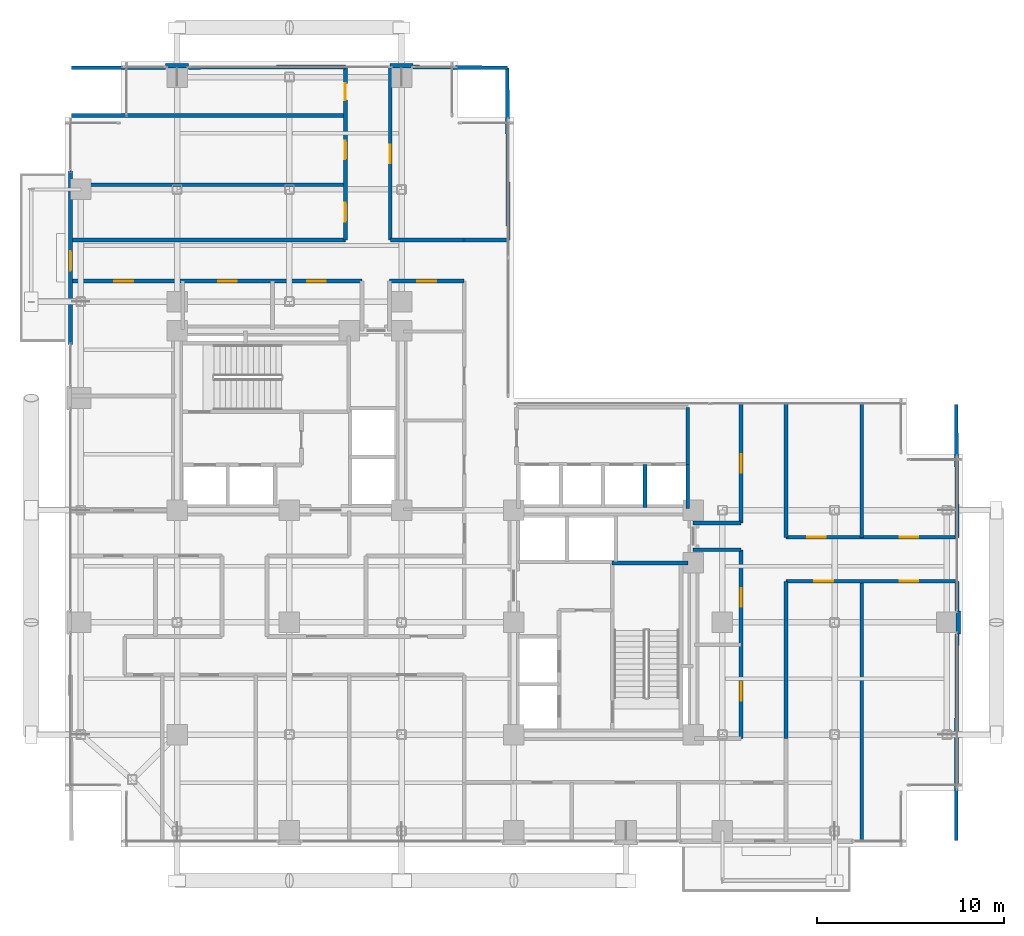
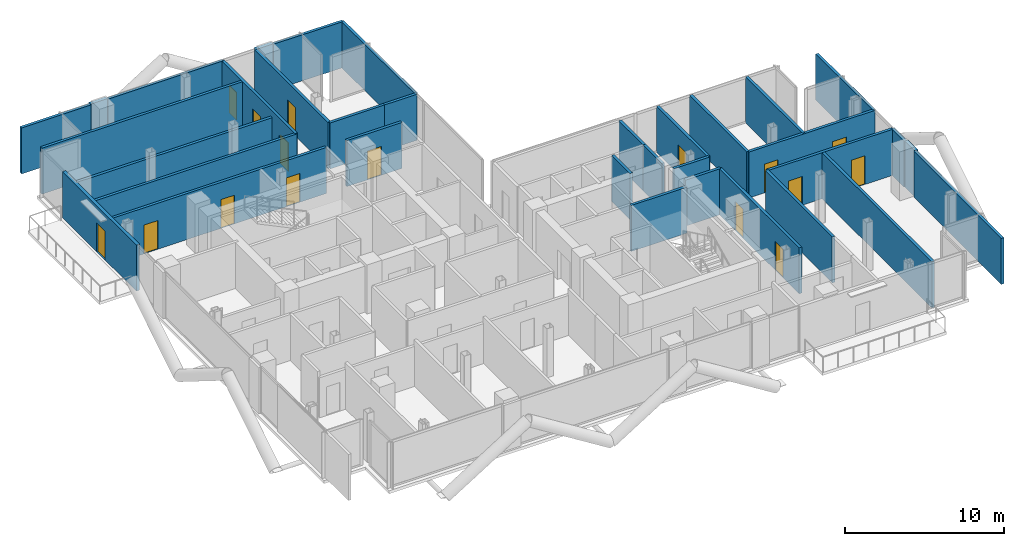
# One storey, part 24 of 28: 34 walls, 16 doors, 16 openings.
"""IFC4 building model written with IfcOpenShell, lengths in metres."""

from ifc_helpers import new_model, si_unit, direction, frame, frame_2d, origin, place, context, subcontext, project, spatial, rectangle, extrude, material, layer, layer_set, type_object, element, fill, save


model = new_model("IFC4")

# Units and contexts
model_context = context("Model", 3, precision=1e-05, world=origin(), true_north=direction((0.0, 1.0)))
body_context = subcontext(model_context, "Body", "Model", "MODEL_VIEW")
ifc_project = project(units=[si_unit("LENGTHUNIT", "METRE"), si_unit("AREAUNIT", "SQUARE_METRE"), si_unit("VOLUMEUNIT", "CUBIC_METRE"), si_unit("PLANEANGLEUNIT", "RADIAN"), si_unit("MASSUNIT", "GRAM", prefix="KILO"), si_unit("THERMODYNAMICTEMPERATUREUNIT", "KELVIN"), si_unit("POWERUNIT", "WATT")], contexts=[model_context])

# Site, building, storey
site_placement = place(None, origin())
site = spatial("IfcSite", under=ifc_project, at=site_placement, CompositionType="ELEMENT")
building_placement = place(site_placement, origin())
building = spatial("IfcBuilding", under=site, at=building_placement, Name="Svarakhadi Broadcast Tower", CompositionType="ELEMENT")
storey_placement = place(building_placement, frame((0.0, 0.0, 119.39990234375)))
storey = spatial("IfcBuildingStorey", under=building, at=storey_placement, Name="L28", CompositionType="ELEMENT", Elevation=119.39990234375)

# Walls
ifc_material_1 = material(Name="Double-Stud Acoustic Studio Partition STC-62", Category="gypsum")
ifc_layer_1 = layer(ifc_material_1, 0.199951171875)
ifc_layer_set_1 = layer_set([ifc_layer_1], Name="Double-Stud Acoustic Studio Partition STC-62")
wall_type_1 = type_object("IfcWallType", Name="Wall_Acoust_200", PredefinedType="PARTITIONING", material=ifc_layer_set_1)
wall_1_placement = place(storey_placement, frame((42.60009765625, 0.300048828125, 0.0), z_axis=(0.0, 0.0, 1.0), x_axis=(0.0, 1.0, 0.0)))
element("IfcWall", 1, at=wall_1_placement, inside=storey, type_object=wall_type_1, Name="L28 Podcast Studio 1 Wall", PredefinedType="PARTITIONING", context=body_context, shape_type="SweptSolid", body=[
    extrude(rectangle(XDim=13.89990234375, YDim=0.199951171875, at=frame_2d((6.949951171875, 0.0))), origin(), (0.0, 0.0, 1.0), 3.525146484375),
])
wall_2_placement = place(storey_placement, frame((47.64990234375, 0.35009765625, 0.0), z_axis=(0.0, 0.0, 1.0), x_axis=(0.003606251025, 0.999993497456, 0.0)))
element("IfcWall", 2, at=wall_2_placement, inside=storey, type_object=wall_type_1, Name="L28 Podcast Studio 2 Wall", PredefinedType="PARTITIONING", context=body_context, shape_type="SweptSolid", body=[
    extrude(rectangle(XDim=11.034912109375, YDim=0.199951171875, at=frame_2d((5.517578125, 0.0))), origin(), (0.0, 0.0, 1.0), 3.525146484375),
])
wall_3_placement = place(storey_placement, frame((47.6943359375, 12.614990234375, 0.0), z_axis=(0.0, 0.0, 1.0), x_axis=(0.003542799701, 0.999993724265, 0.0)))
element("IfcWall", 3, at=wall_3_placement, inside=storey, type_object=wall_type_1, Name="L28 Podcast Studio 2 Wall", PredefinedType="PARTITIONING", context=body_context, shape_type="SweptSolid", body=[
    extrude(rectangle(XDim=1.5849609375, YDim=0.199951171875, at=frame_2d((0.79248046875, 0.0))), origin(), (0.0, 0.0, 1.0), 3.525146484375),
])
wall_4_placement = place(storey_placement, frame((42.60009765625, 16.550048828125, 0.0), z_axis=(0.0, 0.0, 1.0), x_axis=(0.0, 1.0, 0.0)))
element("IfcWall", 4, at=wall_4_placement, inside=storey, type_object=wall_type_1, Name="L28 Broadcast Graphics Room Wall", PredefinedType="PARTITIONING", context=body_context, shape_type="SweptSolid", body=[
    extrude(rectangle(XDim=7.14990234375, YDim=0.199951171875, at=frame_2d((3.574951171875, 0.0))), origin(), (0.0, 0.0, 1.0), 3.525146484375),
])
wall_5_placement = place(storey_placement, frame((47.699951171875, 16.550048828125, 0.0), z_axis=(0.0, 0.0, 1.0), x_axis=(-0.007049101019, 0.999975154779, 0.0)))
element("IfcWall", 5, at=wall_5_placement, inside=storey, type_object=wall_type_1, Name="L28 Graphics Workstation Office Wall", PredefinedType="PARTITIONING", context=body_context, shape_type="SweptSolid", body=[
    extrude(rectangle(XDim=7.10009765625, YDim=0.199951171875, at=frame_2d((3.550048828125, 0.0))), origin(), (0.0, 0.0, 1.0), 3.525146484375),
])
wall_6_placement = place(storey_placement, frame((0.300048828125, 35.39990234375, 0.0), z_axis=(0.0, 0.0, 1.0), x_axis=(1.0, 0.0, 0.0)))
element("IfcWall", 6, at=wall_6_placement, inside=storey, type_object=wall_type_1, Name="L28 Music Composition Studio Wall", PredefinedType="PARTITIONING", context=body_context, shape_type="SweptSolid", body=[
    extrude(rectangle(XDim=14.699951171875, YDim=0.199951171875, at=frame_2d((7.35009765625, 0.0))), origin(), (0.0, 0.0, 1.0), 3.01708984375),
])
wall_7_placement = place(storey_placement, frame((0.35009765625, 39.10009765625, 0.0), z_axis=(0.0, 0.0, 1.0), x_axis=(1.0, 0.0, 0.0)))
element("IfcWall", 7, at=wall_7_placement, inside=storey, type_object=wall_type_1, Name="L28 Sheet Music Library Office Wall", PredefinedType="PARTITIONING", context=body_context, shape_type="SweptSolid", body=[
    extrude(rectangle(XDim=14.64990234375, YDim=0.199951171875, at=frame_2d((7.324951171875, 0.0))), origin(), (0.0, 0.0, 1.0), 3.525146484375),
])
wall_8_placement = place(storey_placement, frame((0.35009765625, 41.64990234375, 0.0), z_axis=(0.0, 0.0, 1.0), x_axis=(0.999994073761, 0.003442737683, 0.0)))
element("IfcWall", 8, at=wall_8_placement, inside=storey, type_object=wall_type_1, Name="L28 Accessible Floor Toilet WC Wall", PredefinedType="PARTITIONING", context=body_context, shape_type="SweptSolid", body=[
    extrude(rectangle(XDim=5.034912109375, YDim=0.199951171875, at=frame_2d((2.517578125, 0.0))), origin(), (0.0, 0.0, 1.0), 3.525146484375),
])
wall_9_placement = place(storey_placement, frame((6.614990234375, 41.67138671875, 0.0), z_axis=(0.0, 0.0, 1.0), x_axis=(0.999994197557, 0.003406589638, 0.0)))
element("IfcWall", 9, at=wall_9_placement, inside=storey, type_object=wall_type_1, Name="L28 Accessible Floor Toilet WC Wall", PredefinedType="PARTITIONING", context=body_context, shape_type="SweptSolid", body=[
    extrude(rectangle(XDim=8.385009765625, YDim=0.199951171875, at=frame_2d((4.1923828125, 0.0))), origin(), (0.0, 0.0, 1.0), 3.525146484375),
])
wall_10_placement = place(storey_placement, frame((18.614990234375, 41.690185546875, 0.0), z_axis=(0.0, 0.0, 1.0), x_axis=(0.99996799533, -0.008000519771, 0.0)))
element("IfcWall", 10, at=wall_10_placement, inside=storey, type_object=wall_type_1, Name="L28 Executive Producer Office Wall", PredefinedType="PARTITIONING", context=body_context, shape_type="SweptSolid", body=[
    extrude(rectangle(XDim=5.03515625, YDim=0.199951171875, at=frame_2d((2.517578125, 0.0))), origin(), (0.0, 0.0, 1.0), 3.525146484375),
])
wall_11_placement = place(storey_placement, frame((23.699951171875, 32.449951171875, 0.0), z_axis=(0.0, 0.0, 1.0), x_axis=(-0.005440038388, 0.999985202882, 0.0)))
element("IfcWall", 11, at=wall_11_placement, inside=storey, type_object=wall_type_1, Name="L28 Executive Producer Office Wall", PredefinedType="PARTITIONING", context=body_context, shape_type="SweptSolid", body=[
    extrude(rectangle(XDim=9.2001953125, YDim=0.199951171875, at=frame_2d((4.60009765625, 0.0))), origin(), (0.0, 0.0, 1.0), 3.525146484375),
])

# Wall, opening, door
ifc_material_2 = material(Name="Concrete C40/50 (IS 456 M50)", Category="concrete")
ifc_layer_2 = layer(ifc_material_2, 0.239990234375)
ifc_layer_set_2 = layer_set([ifc_layer_2], Name="Concrete C40/50 (IS 456 M50)")
wall_type_2 = type_object("IfcWallType", Name="Wall_Ext_240", PredefinedType="SOLIDWALL", material=ifc_layer_set_2)
wall_12_placement = place(storey_placement, frame((0.300048828125, 26.85498046875, 0.0), z_axis=(0.0, 0.0, 1.0), x_axis=(0.0, 1.0, 0.0)))
wall_12 = element("IfcWall", 12, at=wall_12_placement, inside=storey, type_object=wall_type_2, Name="L28 West Tree Balcony Spandrel Wall", PredefinedType="SOLIDWALL", context=body_context, shape_type="SweptSolid", body=[
    extrude(rectangle(XDim=9.2900390625, YDim=0.239990234375, at=frame_2d((4.64501953125, 0.0))), origin(), (0.0, 0.0, 1.0), 3.525146484375),
])
opening_1_placement = place(wall_12_placement, frame((3.945068359375, 0.0, 0.0)))
opening_1 = element("IfcOpeningElement", 13, at=opening_1_placement, cuts=wall_12, Name="Opening ED-05", PredefinedType="OPENING", context=body_context, shape_type="SweptSolid", body=[
    extrude(rectangle(XDim=1.050048828125, YDim=2.199951171875, at=frame_2d((0.52490234375, 1.10009765625))), frame((0.0, 0.1298828125, 0.0), z_axis=(0.0, -1.0, 0.0), x_axis=(1.0, 0.0, 0.0)), (0.0, 0.0, 1.0), 0.260009765625),
])
ifc_material_3 = material(Name="Anodised Bronze Aluminium AA 6063-T6", Category="aluminium")
door_type_1 = type_object("IfcDoorType", Name="Door_Ext_ED05", OperationType="SINGLE_SWING_LEFT", PredefinedType="DOOR", material=ifc_material_3)
door_1_placement = place(opening_1_placement, origin())
door_1 = element("IfcDoor", 14, at=door_1_placement, inside=storey, type_object=door_type_1, Name="L28 West Tree Balcony Door", OperationType="SINGLE_SWING_LEFT", OverallHeight=2.199951171875, OverallWidth=1.050048828125, PredefinedType="DOOR", context=body_context, shape_type="SweptSolid", body=[
    extrude(rectangle(XDim=1.050048828125, YDim=2.199951171875, at=frame_2d((0.52490234375, 1.10009765625))), frame((0.0, 0.02490234375, 0.0), z_axis=(0.0, -1.0, 0.0), x_axis=(1.0, 0.0, 0.0)), (0.0, 0.0, 1.0), 0.050048828125),
])
fill(opening_1, door_1)

# Walls
for number, where, z_axis, x_axis, name in (
    (15, (5.385009765625, 41.760009765625, 0.0), (0.0, 0.0, 1.0), (1.0, 0.0, 0.0), "L28 Perimeter Bronze Spandrel Closure Wall 03"),
    (16, (17.385009765625, 41.760009765625, 0.0), (0.0, 0.0, 1.0), (1.0, 0.0, 0.0), "L28 Perimeter Bronze Spandrel Closure Wall 04"),
    (17, (47.760009765625, 12.614990234375, 0.0), (0.0, 0.0, 1.0), (0.0, -1.0, 0.0), "L28 Perimeter Bronze Spandrel Closure Wall 05"),
):
    element("IfcWall", number, at=place(storey_placement, frame(where, z_axis=z_axis, x_axis=x_axis)), inside=storey, type_object=wall_type_2, Name=name, PredefinedType="SOLIDWALL", context=body_context, shape_type="SweptSolid", body=[
        extrude(rectangle(XDim=1.22998046875, YDim=0.239990234375, at=frame_2d((0.614990234375, 0.0))), origin(), (0.0, 0.0, 1.0), 3.525146484375),
    ])

# Wall, openings, doors
ifc_layer_3 = layer(ifc_material_2, 0.199951171875)
ifc_layer_set_3 = layer_set([ifc_layer_3], Name="Concrete C40/50 (IS 456 M50)")
wall_type_3 = type_object("IfcWallType", Name="Wall_Fire_200", PredefinedType="SOLIDWALL", material=ifc_layer_set_3)
wall_13_placement = place(storey_placement, frame((36.14990234375, 5.800048828125, 0.0), z_axis=(0.0, 0.0, 1.0), x_axis=(0.0, 1.0, 0.0)))
wall_13 = element("IfcWall", 18, at=wall_13_placement, inside=storey, type_object=wall_type_3, Name="L28 Zone 2/3 Corridor Wall", PredefinedType="SOLIDWALL", context=body_context, shape_type="SweptSolid", body=[
    extrude(rectangle(XDim=10.079833984375, YDim=0.199951171875, at=frame_2d((5.0400390625, 0.0))), origin(), (0.0, 0.0, 1.0), 3.525146484375),
])
opening_2_placement = place(wall_13_placement, frame((2.0, 0.0, 0.0)))
opening_2 = element("IfcOpeningElement", 19, at=opening_2_placement, cuts=wall_13, Name="Opening D-09", PredefinedType="OPENING", context=body_context, shape_type="SweptSolid", body=[
    extrude(rectangle(XDim=1.0, YDim=2.199951171875, at=frame_2d((0.5, 1.10009765625))), frame((0.0, 0.10986328125, 0.0), z_axis=(0.0, -1.0, 0.0), x_axis=(1.0, 0.0, 0.0)), (0.0, 0.0, 1.0), 0.219970703125),
])
opening_3_placement = place(wall_13_placement, frame((7.0400390625, 0.0, 0.0)))
opening_3 = element("IfcOpeningElement", 20, at=opening_3_placement, cuts=wall_13, Name="Opening D-09", PredefinedType="OPENING", context=body_context, shape_type="SweptSolid", body=[
    extrude(rectangle(XDim=1.0, YDim=2.199951171875, at=frame_2d((0.5, 1.10009765625))), frame((0.0, 0.10986328125, 0.0), z_axis=(0.0, -1.0, 0.0), x_axis=(1.0, 0.0, 0.0)), (0.0, 0.0, 1.0), 0.219970703125),
])
ifc_material_4 = material(Name="Solid-Core Teak Veneer Acoustic Timber Leaf", Category="wood")
door_type_2 = type_object("IfcDoorType", Name="Door_Suite_D09", OperationType="SINGLE_SWING_RIGHT", PredefinedType="DOOR", material=ifc_material_4)
door_2_placement = place(opening_2_placement, origin())
door_2 = element("IfcDoor", 21, at=door_2_placement, inside=storey, type_object=door_type_2, Name="L28 Media Playout Monitoring Office Door", OperationType="SINGLE_SWING_RIGHT", OverallHeight=2.199951171875, OverallWidth=1.0, PredefinedType="DOOR", context=body_context, shape_type="SweptSolid", body=[
    extrude(rectangle(XDim=1.0, YDim=2.199951171875, at=frame_2d((0.5, 1.10009765625))), frame((0.0, 0.02490234375, 0.0), z_axis=(0.0, -1.0, 0.0), x_axis=(1.0, 0.0, 0.0)), (0.0, 0.0, 1.0), 0.050048828125),
])
fill(opening_2, door_2)
door_3_placement = place(opening_3_placement, origin())
door_3 = element("IfcDoor", 22, at=door_3_placement, inside=storey, type_object=door_type_2, Name="L28 Broadcast Ingest Studio Door", OperationType="SINGLE_SWING_RIGHT", OverallHeight=2.199951171875, OverallWidth=1.0, PredefinedType="DOOR", context=body_context, shape_type="SweptSolid", body=[
    extrude(rectangle(XDim=1.0, YDim=2.199951171875, at=frame_2d((0.5, 1.10009765625))), frame((0.0, 0.02490234375, 0.0), z_axis=(0.0, -1.0, 0.0), x_axis=(1.0, 0.0, 0.0)), (0.0, 0.0, 1.0), 0.050048828125),
])
fill(opening_3, door_3)

# Walls
for number, where, z_axis, x_axis, name in (
    (23, (36.14990234375, 15.8798828125, 0.0), (0.0, 0.0, 1.0), (-1.0, 0.0, 0.0), "L28 Zone 2/3 Corridor Wall"),
    (24, (33.580078125, 17.320068359375, 0.0), (0.0, 0.0, 1.0), (1.0, 0.0, 0.0), "L28 Zone 2/3 Corridor Wall"),
):
    element("IfcWall", number, at=place(storey_placement, frame(where, z_axis=z_axis, x_axis=x_axis)), inside=storey, type_object=wall_type_3, Name=name, PredefinedType="SOLIDWALL", context=body_context, shape_type="SweptSolid", body=[
        extrude(rectangle(XDim=2.56982421875, YDim=0.199951171875, at=frame_2d((1.284912109375, 0.0))), origin(), (0.0, 0.0, 1.0), 3.525146484375),
    ])

# Wall, opening, door
wall_14_placement = place(storey_placement, frame((36.14990234375, 17.320068359375, 0.0), z_axis=(0.0, 0.0, 1.0), x_axis=(0.0, 1.0, 0.0)))
wall_14 = element("IfcWall", 25, at=wall_14_placement, inside=storey, type_object=wall_type_3, Name="L28 Zone 2/3 Corridor Wall", PredefinedType="SOLIDWALL", context=body_context, shape_type="SweptSolid", body=[
    extrude(rectangle(XDim=6.3798828125, YDim=0.199951171875, at=frame_2d((3.18994140625, 0.0))), origin(), (0.0, 0.0, 1.0), 3.525146484375),
])
opening_4_placement = place(wall_14_placement, frame((2.679931640625, 0.0, 0.0)))
opening_4 = element("IfcOpeningElement", 26, at=opening_4_placement, cuts=wall_14, Name="Opening D-09", PredefinedType="OPENING", context=body_context, shape_type="SweptSolid", body=[
    extrude(rectangle(XDim=1.0, YDim=2.199951171875, at=frame_2d((0.5, 1.10009765625))), frame((0.0, 0.10986328125, 0.0), z_axis=(0.0, -1.0, 0.0), x_axis=(1.0, 0.0, 0.0)), (0.0, 0.0, 1.0), 0.219970703125),
])
door_4_placement = place(opening_4_placement, origin())
door_4 = element("IfcDoor", 27, at=door_4_placement, inside=storey, type_object=door_type_2, Name="L28 Post-Production Coordination Office Door", OperationType="SINGLE_SWING_RIGHT", OverallHeight=2.199951171875, OverallWidth=1.0, PredefinedType="DOOR", context=body_context, shape_type="SweptSolid", body=[
    extrude(rectangle(XDim=1.0, YDim=2.199951171875, at=frame_2d((0.5, 1.10009765625))), frame((0.0, 0.02490234375, 0.0), z_axis=(0.0, -1.0, 0.0), x_axis=(1.0, 0.0, 0.0)), (0.0, 0.0, 1.0), 0.050048828125),
])
fill(opening_4, door_4)

# Wall
wall_15_placement = place(storey_placement, frame((38.550048828125, 23.699951171875, 0.0), z_axis=(0.0, 0.0, 1.0), x_axis=(0.0, -1.0, 0.0)))
element("IfcWall", 28, at=wall_15_placement, inside=storey, type_object=wall_type_3, Name="L28 Zone 2/3 Corridor Wall", PredefinedType="SOLIDWALL", context=body_context, shape_type="SweptSolid", body=[
    extrude(rectangle(XDim=7.14990234375, YDim=0.199951171875, at=frame_2d((3.574951171875, 0.0))), origin(), (0.0, 0.0, 1.0), 3.525146484375),
])

# Wall, openings, doors
wall_16_placement = place(storey_placement, frame((38.550048828125, 16.550048828125, 0.0), z_axis=(0.0, 0.0, 1.0), x_axis=(1.0, 0.0, 0.0)))
wall_16 = element("IfcWall", 29, at=wall_16_placement, inside=storey, type_object=wall_type_3, Name="L28 Zone 2/3 Corridor Wall", PredefinedType="SOLIDWALL", context=body_context, shape_type="SweptSolid", body=[
    extrude(rectangle(XDim=9.14990234375, YDim=0.199951171875, at=frame_2d((4.574951171875, 0.0))), origin(), (0.0, 0.0, 1.0), 3.525146484375),
])
opening_5_placement = place(wall_16_placement, frame((1.1298828125, 0.0, 0.0)))
opening_5 = element("IfcOpeningElement", 30, at=opening_5_placement, cuts=wall_16, Name="Opening D-08", PredefinedType="OPENING", context=body_context, shape_type="SweptSolid", body=[
    extrude(rectangle(XDim=1.0, YDim=2.199951171875, at=frame_2d((0.5, 1.10009765625))), frame((0.0, 0.10986328125, 0.0), z_axis=(0.0, -1.0, 0.0), x_axis=(1.0, 0.0, 0.0)), (0.0, 0.0, 1.0), 0.219970703125),
])
opening_6_placement = place(wall_16_placement, frame((6.074951171875, 0.0, 0.0)))
opening_6 = element("IfcOpeningElement", 31, at=opening_6_placement, cuts=wall_16, Name="Opening D-09", PredefinedType="OPENING", context=body_context, shape_type="SweptSolid", body=[
    extrude(rectangle(XDim=1.0, YDim=2.199951171875, at=frame_2d((0.5, 1.10009765625))), frame((0.0, 0.10986328125, 0.0), z_axis=(0.0, -1.0, 0.0), x_axis=(1.0, 0.0, 0.0)), (0.0, 0.0, 1.0), 0.219970703125),
])
door_type_3 = type_object("IfcDoorType", Name="Door_Suite_D08", OperationType="SINGLE_SWING_LEFT", PredefinedType="DOOR", material=ifc_material_4)
door_5_placement = place(opening_5_placement, origin())
door_5 = element("IfcDoor", 32, at=door_5_placement, inside=storey, type_object=door_type_3, Name="L28 Broadcast Graphics Room Door", OperationType="SINGLE_SWING_LEFT", OverallHeight=2.199951171875, OverallWidth=1.0, PredefinedType="DOOR", context=body_context, shape_type="SweptSolid", body=[
    extrude(rectangle(XDim=1.0, YDim=2.199951171875, at=frame_2d((0.5, 1.10009765625))), frame((0.0, 0.02490234375, 0.0), z_axis=(0.0, -1.0, 0.0), x_axis=(1.0, 0.0, 0.0)), (0.0, 0.0, 1.0), 0.050048828125),
])
fill(opening_5, door_5)
door_6_placement = place(opening_6_placement, origin())
door_6 = element("IfcDoor", 33, at=door_6_placement, inside=storey, type_object=door_type_2, Name="L28 Graphics Workstation Office Door", OperationType="SINGLE_SWING_RIGHT", OverallHeight=2.199951171875, OverallWidth=1.0, PredefinedType="DOOR", context=body_context, shape_type="SweptSolid", body=[
    extrude(rectangle(XDim=1.0, YDim=2.199951171875, at=frame_2d((0.5, 1.10009765625))), frame((0.0, 0.02490234375, 0.0), z_axis=(0.0, -1.0, 0.0), x_axis=(1.0, 0.0, 0.0)), (0.0, 0.0, 1.0), 0.050048828125),
])
fill(opening_6, door_6)

wall_17_placement = place(storey_placement, frame((47.699951171875, 14.199951171875, 0.0), z_axis=(0.0, 0.0, 1.0), x_axis=(-1.0, 0.0, 0.0)))
wall_17 = element("IfcWall", 34, at=wall_17_placement, inside=storey, type_object=wall_type_3, Name="L28 Zone 2/3 Corridor Wall", PredefinedType="SOLIDWALL", context=body_context, shape_type="SweptSolid", body=[
    extrude(rectangle(XDim=9.14990234375, YDim=0.199951171875, at=frame_2d((4.574951171875, 0.0))), origin(), (0.0, 0.0, 1.0), 3.525146484375),
])
opening_7_placement = place(wall_17_placement, frame((6.625, 0.0, 0.0)))
opening_7 = element("IfcOpeningElement", 35, at=opening_7_placement, cuts=wall_17, Name="Opening D-08", PredefinedType="OPENING", context=body_context, shape_type="SweptSolid", body=[
    extrude(rectangle(XDim=1.0, YDim=2.199951171875, at=frame_2d((0.5, 1.10009765625))), frame((0.0, 0.10986328125, 0.0), z_axis=(0.0, -1.0, 0.0), x_axis=(1.0, 0.0, 0.0)), (0.0, 0.0, 1.0), 0.219970703125),
])
opening_8_placement = place(wall_17_placement, frame((2.074951171875, 0.0, 0.0)))
opening_8 = element("IfcOpeningElement", 36, at=opening_8_placement, cuts=wall_17, Name="Opening D-09", PredefinedType="OPENING", context=body_context, shape_type="SweptSolid", body=[
    extrude(rectangle(XDim=1.0, YDim=2.199951171875, at=frame_2d((0.5, 1.10009765625))), frame((0.0, 0.10986328125, 0.0), z_axis=(0.0, -1.0, 0.0), x_axis=(1.0, 0.0, 0.0)), (0.0, 0.0, 1.0), 0.219970703125),
])
door_7_placement = place(opening_7_placement, origin())
door_7 = element("IfcDoor", 37, at=door_7_placement, inside=storey, type_object=door_type_3, Name="L28 Podcast Studio 1 Door", OperationType="SINGLE_SWING_LEFT", OverallHeight=2.199951171875, OverallWidth=1.0, PredefinedType="DOOR", context=body_context, shape_type="SweptSolid", body=[
    extrude(rectangle(XDim=1.0, YDim=2.199951171875, at=frame_2d((0.5, 1.10009765625))), frame((0.0, 0.02490234375, 0.0), z_axis=(0.0, -1.0, 0.0), x_axis=(1.0, 0.0, 0.0)), (0.0, 0.0, 1.0), 0.050048828125),
])
fill(opening_7, door_7)
door_8_placement = place(opening_8_placement, origin())
door_8 = element("IfcDoor", 38, at=door_8_placement, inside=storey, type_object=door_type_2, Name="L28 Podcast Studio 2 Door", OperationType="SINGLE_SWING_RIGHT", OverallHeight=2.199951171875, OverallWidth=1.0, PredefinedType="DOOR", context=body_context, shape_type="SweptSolid", body=[
    extrude(rectangle(XDim=1.0, YDim=2.199951171875, at=frame_2d((0.5, 1.10009765625))), frame((0.0, 0.02490234375, 0.0), z_axis=(0.0, -1.0, 0.0), x_axis=(1.0, 0.0, 0.0)), (0.0, 0.0, 1.0), 0.050048828125),
])
fill(opening_8, door_8)

# Wall
wall_18_placement = place(storey_placement, frame((38.550048828125, 14.199951171875, 0.0), z_axis=(0.0, 0.0, 1.0), x_axis=(0.0, -1.0, 0.0)))
element("IfcWall", 39, at=wall_18_placement, inside=storey, type_object=wall_type_3, Name="L28 Zone 2/3 Corridor Wall", PredefinedType="SOLIDWALL", context=body_context, shape_type="SweptSolid", body=[
    extrude(rectangle(XDim=8.39990234375, YDim=0.199951171875, at=frame_2d((4.199951171875, 0.0))), origin(), (0.0, 0.0, 1.0), 3.525146484375),
])

# Wall, opening, door
wall_19_placement = place(storey_placement, frame((21.35009765625, 30.25, 0.0), z_axis=(0.0, 0.0, 1.0), x_axis=(-1.0, 0.0, 0.0)))
wall_19 = element("IfcWall", 40, at=wall_19_placement, inside=storey, type_object=wall_type_3, Name="L28 Zone 2/3 Corridor Wall", PredefinedType="SOLIDWALL", context=body_context, shape_type="SweptSolid", body=[
    extrude(rectangle(XDim=4.0, YDim=0.199951171875, at=frame_2d((2.0, 0.0))), origin(), (0.0, 0.0, 1.0), 3.525146484375),
])
opening_9_placement = place(wall_19_placement, frame((1.5, 0.0, 0.0)))
opening_9 = element("IfcOpeningElement", 41, at=opening_9_placement, cuts=wall_19, Name="Opening D-08", PredefinedType="OPENING", context=body_context, shape_type="SweptSolid", body=[
    extrude(rectangle(XDim=1.0, YDim=2.199951171875, at=frame_2d((0.5, 1.10009765625))), frame((0.0, 0.10986328125, 0.0), z_axis=(0.0, -1.0, 0.0), x_axis=(1.0, 0.0, 0.0)), (0.0, 0.0, 1.0), 0.219970703125),
])
door_9_placement = place(opening_9_placement, origin())
door_9 = element("IfcDoor", 42, at=door_9_placement, inside=storey, type_object=door_type_3, Name="L28 Media Continuity Study Door", OperationType="SINGLE_SWING_LEFT", OverallHeight=2.199951171875, OverallWidth=1.0, PredefinedType="DOOR", context=body_context, shape_type="SweptSolid", body=[
    extrude(rectangle(XDim=1.0, YDim=2.199951171875, at=frame_2d((0.5, 1.10009765625))), frame((0.0, 0.02490234375, 0.0), z_axis=(0.0, -1.0, 0.0), x_axis=(1.0, 0.0, 0.0)), (0.0, 0.0, 1.0), 0.050048828125),
])
fill(opening_9, door_9)

# Wall, openings, doors
wall_20_placement = place(storey_placement, frame((15.8798828125, 30.25, 0.0), z_axis=(0.0, 0.0, 1.0), x_axis=(-1.0, 0.0, 0.0)))
wall_20 = element("IfcWall", 43, at=wall_20_placement, inside=storey, type_object=wall_type_3, Name="L28 Zone 2/3 Corridor Wall", PredefinedType="SOLIDWALL", context=body_context, shape_type="SweptSolid", body=[
    extrude(rectangle(XDim=15.579833984375, YDim=0.199951171875, at=frame_2d((7.7900390625, 0.0))), origin(), (0.0, 0.0, 1.0), 3.525146484375),
])
opening_10_placement = place(wall_20_placement, frame((12.22998046875, 0.0, 0.0)))
opening_10 = element("IfcOpeningElement", 44, at=opening_10_placement, cuts=wall_20, Name="Opening D-09", PredefinedType="OPENING", context=body_context, shape_type="SweptSolid", body=[
    extrude(rectangle(XDim=1.0, YDim=2.199951171875, at=frame_2d((0.5, 1.10009765625))), frame((0.0, 0.10986328125, 0.0), z_axis=(0.0, -1.0, 0.0), x_axis=(1.0, 0.0, 0.0)), (0.0, 0.0, 1.0), 0.219970703125),
])
opening_11_placement = place(wall_20_placement, frame((6.679931640625, 0.0, 0.0)))
opening_11 = element("IfcOpeningElement", 45, at=opening_11_placement, cuts=wall_20, Name="Opening D-08", PredefinedType="OPENING", context=body_context, shape_type="SweptSolid", body=[
    extrude(rectangle(XDim=1.0, YDim=2.199951171875, at=frame_2d((0.5, 1.10009765625))), frame((0.0, 0.10986328125, 0.0), z_axis=(0.0, -1.0, 0.0), x_axis=(1.0, 0.0, 0.0)), (0.0, 0.0, 1.0), 0.219970703125),
])
opening_12_placement = place(wall_20_placement, frame((1.929931640625, 0.0, 0.0)))
opening_12 = element("IfcOpeningElement", 46, at=opening_12_placement, cuts=wall_20, Name="Opening D-08", PredefinedType="OPENING", context=body_context, shape_type="SweptSolid", body=[
    extrude(rectangle(XDim=1.0, YDim=2.199951171875, at=frame_2d((0.5, 1.10009765625))), frame((0.0, 0.10986328125, 0.0), z_axis=(0.0, -1.0, 0.0), x_axis=(1.0, 0.0, 0.0)), (0.0, 0.0, 1.0), 0.219970703125),
])
door_10_placement = place(opening_11_placement, origin())
door_10 = element("IfcDoor", 47, at=door_10_placement, inside=storey, type_object=door_type_3, Name="L28 Acoustic Dubbing Booth Door", OperationType="SINGLE_SWING_LEFT", OverallHeight=2.199951171875, OverallWidth=1.0, PredefinedType="DOOR", context=body_context, shape_type="SweptSolid", body=[
    extrude(rectangle(XDim=1.0, YDim=2.199951171875, at=frame_2d((0.5, 1.10009765625))), frame((0.0, 0.02490234375, 0.0), z_axis=(0.0, -1.0, 0.0), x_axis=(1.0, 0.0, 0.0)), (0.0, 0.0, 1.0), 0.050048828125),
])
fill(opening_11, door_10)
door_11_placement = place(opening_12_placement, origin())
door_11 = element("IfcDoor", 48, at=door_11_placement, inside=storey, type_object=door_type_3, Name="L28 Editorial Color Grading Pod Door", OperationType="SINGLE_SWING_LEFT", OverallHeight=2.199951171875, OverallWidth=1.0, PredefinedType="DOOR", context=body_context, shape_type="SweptSolid", body=[
    extrude(rectangle(XDim=1.0, YDim=2.199951171875, at=frame_2d((0.5, 1.10009765625))), frame((0.0, 0.02490234375, 0.0), z_axis=(0.0, -1.0, 0.0), x_axis=(1.0, 0.0, 0.0)), (0.0, 0.0, 1.0), 0.050048828125),
])
fill(opening_12, door_11)
door_12_placement = place(opening_10_placement, origin())
door_12 = element("IfcDoor", 49, at=door_12_placement, inside=storey, type_object=door_type_2, Name="L28 Sunset Horizon Screening Room Door", OperationType="SINGLE_SWING_RIGHT", OverallHeight=2.199951171875, OverallWidth=1.0, PredefinedType="DOOR", context=body_context, shape_type="SweptSolid", body=[
    extrude(rectangle(XDim=1.0, YDim=2.199951171875, at=frame_2d((0.5, 1.10009765625))), frame((0.0, 0.02490234375, 0.0), z_axis=(0.0, -1.0, 0.0), x_axis=(1.0, 0.0, 0.0)), (0.0, 0.0, 1.0), 0.050048828125),
])
fill(opening_10, door_12)

# Wall
wall_21_placement = place(storey_placement, frame((0.300048828125, 32.449951171875, 0.0), z_axis=(0.0, 0.0, 1.0), x_axis=(1.0, 0.0, 0.0)))
element("IfcWall", 50, at=wall_21_placement, inside=storey, type_object=wall_type_3, Name="L28 Zone 2/3 Corridor Wall", PredefinedType="SOLIDWALL", context=body_context, shape_type="SweptSolid", body=[
    extrude(rectangle(XDim=14.699951171875, YDim=0.199951171875, at=frame_2d((7.35009765625, 0.0))), origin(), (0.0, 0.0, 1.0), 3.525146484375),
])

# Wall, openings, doors
wall_22_placement = place(storey_placement, frame((15.0, 32.449951171875, 0.0), z_axis=(0.0, 0.0, 1.0), x_axis=(0.0, 1.0, 0.0)))
wall_22 = element("IfcWall", 51, at=wall_22_placement, inside=storey, type_object=wall_type_3, Name="L28 Zone 2/3 Corridor Wall", PredefinedType="SOLIDWALL", context=body_context, shape_type="SweptSolid", body=[
    extrude(rectangle(XDim=9.25, YDim=0.199951171875, at=frame_2d((4.625, 0.0))), origin(), (0.0, 0.0, 1.0), 3.525146484375),
])
opening_13_placement = place(wall_22_placement, frame((0.97509765625, 0.0, 0.0)))
opening_13 = element("IfcOpeningElement", 52, at=opening_13_placement, cuts=wall_22, Name="Opening D-08", PredefinedType="OPENING", context=body_context, shape_type="SweptSolid", body=[
    extrude(rectangle(XDim=1.0, YDim=2.199951171875, at=frame_2d((0.5, 1.10009765625))), frame((0.0, 0.10986328125, 0.0), z_axis=(0.0, -1.0, 0.0), x_axis=(1.0, 0.0, 0.0)), (0.0, 0.0, 1.0), 0.219970703125),
])
opening_14_placement = place(wall_22_placement, frame((4.300048828125, 0.0, 0.0)))
opening_14 = element("IfcOpeningElement", 53, at=opening_14_placement, cuts=wall_22, Name="Opening D-09", PredefinedType="OPENING", context=body_context, shape_type="SweptSolid", body=[
    extrude(rectangle(XDim=1.0, YDim=2.199951171875, at=frame_2d((0.5, 1.10009765625))), frame((0.0, 0.10986328125, 0.0), z_axis=(0.0, -1.0, 0.0), x_axis=(1.0, 0.0, 0.0)), (0.0, 0.0, 1.0), 0.219970703125),
])
opening_15_placement = place(wall_22_placement, frame((7.47509765625, 0.0, 0.0)))
opening_15 = element("IfcOpeningElement", 54, at=opening_15_placement, cuts=wall_22, Name="Opening D-12", PredefinedType="OPENING", context=body_context, shape_type="SweptSolid", body=[
    extrude(rectangle(XDim=0.89990234375, YDim=2.10009765625, at=frame_2d((0.449951171875, 1.050048828125))), frame((0.0, 0.10986328125, 0.0), z_axis=(0.0, -1.0, 0.0), x_axis=(1.0, 0.0, 0.0)), (0.0, 0.0, 1.0), 0.219970703125),
])
door_13_placement = place(opening_13_placement, origin())
door_13 = element("IfcDoor", 55, at=door_13_placement, inside=storey, type_object=door_type_3, Name="L28 Music Composition Studio Door", OperationType="SINGLE_SWING_LEFT", OverallHeight=2.199951171875, OverallWidth=1.0, PredefinedType="DOOR", context=body_context, shape_type="SweptSolid", body=[
    extrude(rectangle(XDim=1.0, YDim=2.199951171875, at=frame_2d((0.5, 1.10009765625))), frame((0.0, 0.02490234375, 0.0), z_axis=(0.0, -1.0, 0.0), x_axis=(1.0, 0.0, 0.0)), (0.0, 0.0, 1.0), 0.050048828125),
])
fill(opening_13, door_13)
door_14_placement = place(opening_14_placement, origin())
door_14 = element("IfcDoor", 56, at=door_14_placement, inside=storey, type_object=door_type_2, Name="L28 Sheet Music Library Office Door", OperationType="SINGLE_SWING_RIGHT", OverallHeight=2.199951171875, OverallWidth=1.0, PredefinedType="DOOR", context=body_context, shape_type="SweptSolid", body=[
    extrude(rectangle(XDim=1.0, YDim=2.199951171875, at=frame_2d((0.5, 1.10009765625))), frame((0.0, 0.02490234375, 0.0), z_axis=(0.0, -1.0, 0.0), x_axis=(1.0, 0.0, 0.0)), (0.0, 0.0, 1.0), 0.050048828125),
])
fill(opening_14, door_14)
door_type_4 = type_object("IfcDoorType", Name="Door_WC_D01", OperationType="SINGLE_SWING_LEFT", PredefinedType="DOOR", material=ifc_material_4)
door_15_placement = place(opening_15_placement, origin())
door_15 = element("IfcDoor", 57, at=door_15_placement, inside=storey, type_object=door_type_4, Name="L28 Accessible Floor Toilet WC Door", OperationType="SINGLE_SWING_LEFT", OverallHeight=2.10009765625, OverallWidth=0.89990234375, PredefinedType="DOOR", context=body_context, shape_type="SweptSolid", body=[
    extrude(rectangle(XDim=0.89990234375, YDim=2.10009765625, at=frame_2d((0.449951171875, 1.050048828125))), frame((0.0, 0.02490234375, 0.0), z_axis=(0.0, -1.0, 0.0), x_axis=(1.0, 0.0, 0.0)), (0.0, 0.0, 1.0), 0.050048828125),
])
fill(opening_15, door_15)

# Wall, opening, door
wall_23_placement = place(storey_placement, frame((17.39990234375, 41.699951171875, 0.0), z_axis=(0.0, 0.0, 1.0), x_axis=(0.0, -1.0, 0.0)))
wall_23 = element("IfcWall", 58, at=wall_23_placement, inside=storey, type_object=wall_type_3, Name="L28 Zone 2/3 Corridor Wall", PredefinedType="SOLIDWALL", context=body_context, shape_type="SweptSolid", body=[
    extrude(rectangle(XDim=9.25, YDim=0.199951171875, at=frame_2d((4.625, 0.0))), origin(), (0.0, 0.0, 1.0), 3.525146484375),
])
opening_16_placement = place(wall_23_placement, frame((4.14990234375, 0.0, 0.0)))
opening_16 = element("IfcOpeningElement", 59, at=opening_16_placement, cuts=wall_23, Name="Opening D-09", PredefinedType="OPENING", context=body_context, shape_type="SweptSolid", body=[
    extrude(rectangle(XDim=1.0, YDim=2.199951171875, at=frame_2d((0.5, 1.10009765625))), frame((0.0, 0.10986328125, 0.0), z_axis=(0.0, -1.0, 0.0), x_axis=(1.0, 0.0, 0.0)), (0.0, 0.0, 1.0), 0.219970703125),
])
door_16_placement = place(opening_16_placement, origin())
door_16 = element("IfcDoor", 60, at=door_16_placement, inside=storey, type_object=door_type_2, Name="L28 Executive Producer Office Door", OperationType="SINGLE_SWING_RIGHT", OverallHeight=2.199951171875, OverallWidth=1.0, PredefinedType="DOOR", context=body_context, shape_type="SweptSolid", body=[
    extrude(rectangle(XDim=1.0, YDim=2.199951171875, at=frame_2d((0.5, 1.10009765625))), frame((0.0, 0.02490234375, 0.0), z_axis=(0.0, -1.0, 0.0), x_axis=(1.0, 0.0, 0.0)), (0.0, 0.0, 1.0), 0.050048828125),
])
fill(opening_16, door_16)

# Walls
wall_24_placement = place(storey_placement, frame((17.39990234375, 32.449951171875, 0.0), z_axis=(0.0, 0.0, 1.0), x_axis=(1.0, 0.0, 0.0)))
element("IfcWall", 61, at=wall_24_placement, inside=storey, type_object=wall_type_3, Name="L28 Zone 2/3 Corridor Wall", PredefinedType="SOLIDWALL", context=body_context, shape_type="SweptSolid", body=[
    extrude(rectangle(XDim=3.9501953125, YDim=0.199951171875, at=frame_2d((1.97509765625, 0.0))), origin(), (0.0, 0.0, 1.0), 3.525146484375),
])
wall_25_placement = place(storey_placement, frame((21.35009765625, 32.449951171875, 0.0), z_axis=(0.0, 0.0, 1.0), x_axis=(1.0, 0.0, 0.0)))
element("IfcWall", 62, at=wall_25_placement, inside=storey, type_object=wall_type_3, Name="L28 Zone 2/3 Corridor Wall", PredefinedType="SOLIDWALL", context=body_context, shape_type="SweptSolid", body=[
    extrude(rectangle(XDim=2.349853515625, YDim=0.199951171875, at=frame_2d((1.1748046875, 0.0))), origin(), (0.0, 0.0, 1.0), 3.525146484375),
])
ifc_material_5 = material(Name="Concrete C50/60 (IS 456 M60)", Category="concrete")
ifc_layer_4 = layer(ifc_material_5, 0.199951171875)
ifc_layer_set_4 = layer_set([ifc_layer_4], Name="Concrete C50/60 (IS 456 M60)")
wall_type_4 = type_object("IfcWallType", Name="Wall_Shear_200", PredefinedType="SHEAR", material=ifc_layer_set_4)
wall_26_placement = place(storey_placement, frame((29.260009765625, 15.179931640625, 0.0), z_axis=(0.0, 0.0, 1.0), x_axis=(1.0, 0.0, 0.0)))
element("IfcWall", 63, at=wall_26_placement, inside=storey, type_object=wall_type_4, Name="L28 Stair ST-02 North RC Shaft Wall", PredefinedType="SHEAR", context=body_context, shape_type="SweptSolid", body=[
    extrude(rectangle(XDim=4.0400390625, YDim=0.199951171875, at=frame_2d((2.02001953125, 0.0))), origin(), (0.0, 0.0, 1.0), 3.525146484375),
])
wall_27_placement = place(storey_placement, frame((33.300048828125, 18.10009765625, 0.0), z_axis=(0.0, 0.0, 1.0), x_axis=(0.0, 1.0, 0.0)))
element("IfcWall", 64, at=wall_27_placement, inside=storey, type_object=wall_type_4, Name="L28 Bank B East Shaft Wall", PredefinedType="SHEAR", context=body_context, shape_type="SweptSolid", body=[
    extrude(rectangle(XDim=2.349853515625, YDim=0.199951171875, at=frame_2d((1.1748046875, 0.0))), origin(), (0.0, 0.0, 1.0), 3.525146484375),
])
wall_28_placement = place(storey_placement, frame((31.02001953125, 18.14990234375, 0.0), z_axis=(0.0, 0.0, 1.0), x_axis=(0.0, 1.0, 0.0)))
element("IfcWall", 65, at=wall_28_placement, inside=storey, type_object=wall_type_4, Name="L28 Bank B Divider", PredefinedType="SHEAR", context=body_context, shape_type="SweptSolid", body=[
    extrude(rectangle(XDim=2.300048828125, YDim=0.199951171875, at=frame_2d((1.14990234375, 0.0))), origin(), (0.0, 0.0, 1.0), 3.525146484375),
])
wall_29_placement = place(storey_placement, frame((33.300048828125, 20.449951171875, 0.0), z_axis=(0.0, 0.0, 1.0), x_axis=(0.0, 1.0, 0.0)))
element("IfcWall", 66, at=wall_29_placement, inside=storey, type_object=wall_type_4, Name="L28 Bank B Lift Hall East Wall", PredefinedType="SHEAR", context=body_context, shape_type="SweptSolid", body=[
    extrude(rectangle(XDim=3.050048828125, YDim=0.199951171875, at=frame_2d((1.52490234375, 0.0))), origin(), (0.0, 0.0, 1.0), 3.525146484375),
])

save(model, "model.ifc")
